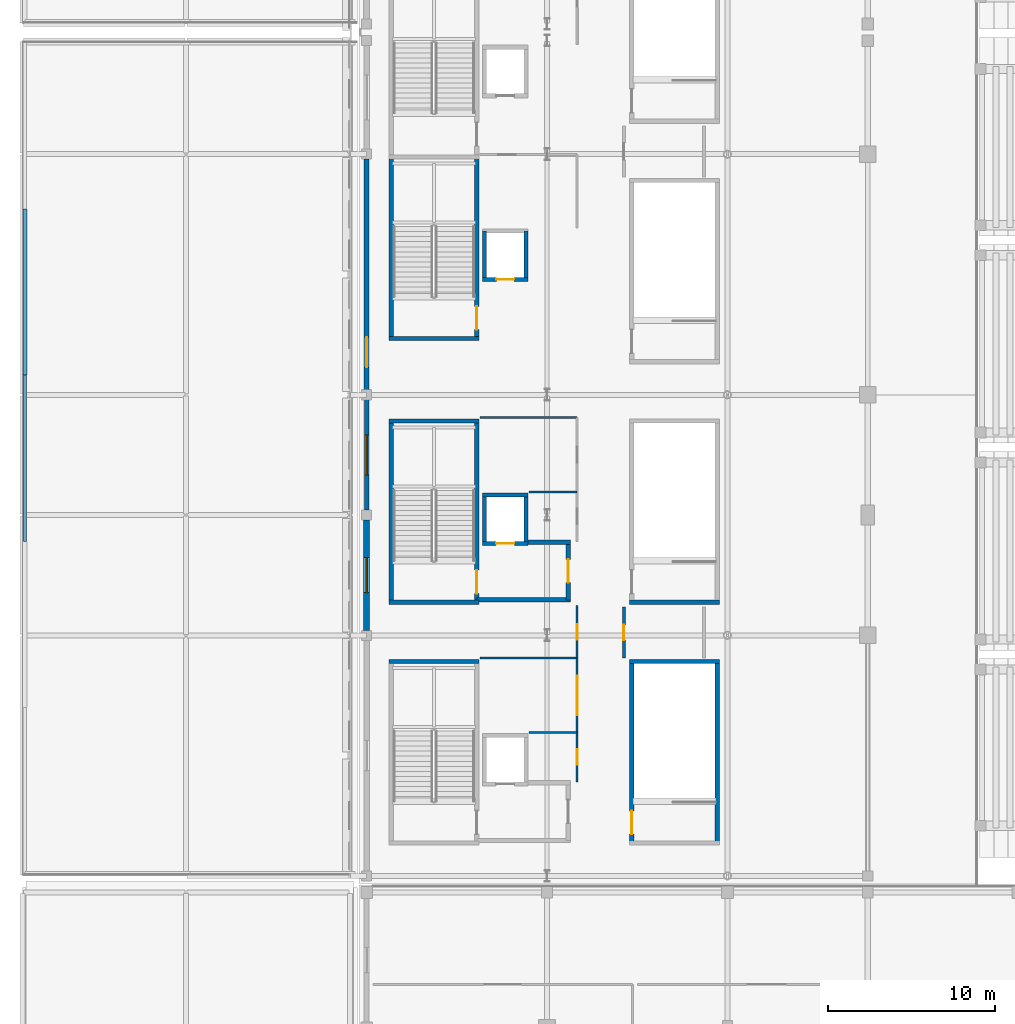
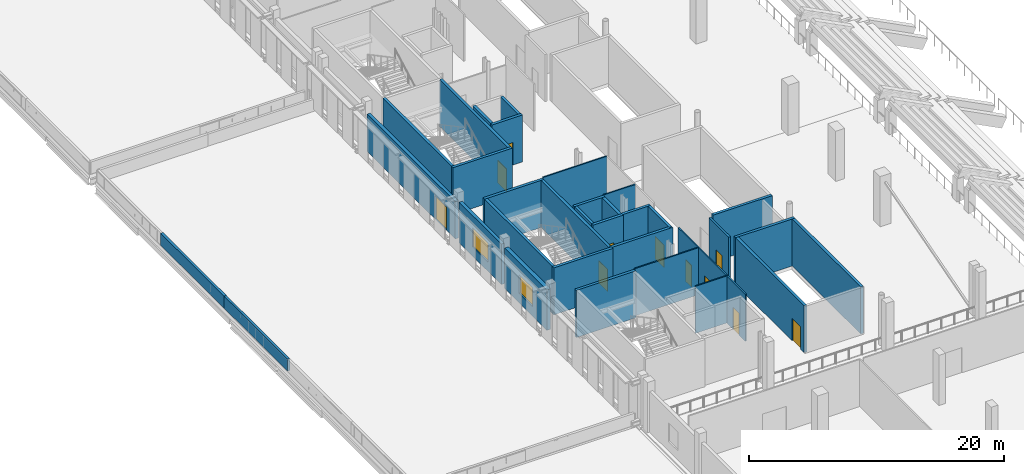
# One storey, part 29 of 74: 35 walls, 11 doors, 2 windows, 13 openings.
"""IFC4 building model written with IfcOpenShell, lengths in metres."""

from ifc_helpers import new_model, si_unit, direction, frame, frame_2d, origin, place, context, subcontext, project, spatial, rectangle, extrude, material, layer, layer_set, type_object, element, fill, save


model = new_model("IFC4")

# Units and contexts
model_context = context("Model", 3, precision=1e-05, world=origin(), true_north=direction((0.0, 1.0)))
body_context = subcontext(model_context, "Body", "Model", "MODEL_VIEW")
ifc_project = project(units=[si_unit("LENGTHUNIT", "METRE"), si_unit("AREAUNIT", "SQUARE_METRE"), si_unit("VOLUMEUNIT", "CUBIC_METRE"), si_unit("PLANEANGLEUNIT", "RADIAN"), si_unit("MASSUNIT", "GRAM", prefix="KILO")], contexts=[model_context])

# Site, building, storey
site_placement = place(None, origin())
site = spatial("IfcSite", under=ifc_project, at=site_placement, CompositionType="ELEMENT")
building_placement = place(site_placement, origin())
building = spatial("IfcBuilding", under=site, at=building_placement, Name="Koshinbarg Plaza Stadium", CompositionType="ELEMENT")
storey_placement = place(building_placement, frame((0.0, 0.0, 15.0)))
storey = spatial("IfcBuildingStorey", under=building, at=storey_placement, Name="L03", CompositionType="ELEMENT", Elevation=15.0)

# Walls
ifc_material_1 = material(Name="Concrete C40/50", Category="concrete")
ifc_layer_1 = layer(ifc_material_1, 0.25)
ifc_layer_set_1 = layer_set([ifc_layer_1], Name="Concrete C40/50")
wall_type_1 = type_object("IfcWallType", Name="WL-CORE-250", PredefinedType="SHEAR", material=ifc_layer_set_1)
for number, where, z_axis, x_axis, name in (
    (1, (31.320068359375, 38.324951171875, 0.0), (0.0, 0.0, 1.0), (-1.0, 0.0, 0.0), "L03 core stair shear wall C01-far IWL-L03-0014"),
    (2, (25.949951171875, 41.875, 0.0), (0.0, 0.0, 1.0), (1.0, 0.0, 0.0), "L03 core stair shear wall C02-near IWL-L03-0041"),
    (3, (31.320068359375, 52.72509765625, 0.0), (0.0, 0.0, 1.0), (-1.0, 0.0, 0.0), "L03 core stair shear wall C02-far IWL-L03-0042"),
):
    element("IfcWall", number, at=place(storey_placement, frame(where, z_axis=z_axis, x_axis=x_axis)), inside=storey, type_object=wall_type_1, Name=name, PredefinedType="SHEAR", context=body_context, shape_type="SweptSolid", body=[
        extrude(rectangle(XDim=5.3701171875, YDim=0.25, at=frame_2d((2.68505859375, 0.0))), origin(), (0.0, 0.0, 1.0), 4.5),
    ])
wall_1_placement = place(storey_placement, frame((26.074951171875, 41.875, 0.0), z_axis=(0.0, 0.0, 1.0), x_axis=(0.0, 1.0, 0.0)))
element("IfcWall", 4, at=wall_1_placement, inside=storey, type_object=wall_type_1, Name="L03 core stair shear wall C02-left IWL-L03-0043", PredefinedType="SHEAR", context=body_context, shape_type="SweptSolid", body=[
    extrude(rectangle(XDim=10.85009765625, YDim=0.25, at=frame_2d((5.425048828125, 0.0))), origin(), (0.0, 0.0, 1.0), 4.5),
])

# Wall, opening, door
wall_2_placement = place(storey_placement, frame((31.195068359375, 41.875, 0.0), z_axis=(0.0, 0.0, 1.0), x_axis=(0.0, 1.0, 0.0)))
wall_2 = element("IfcWall", 5, at=wall_2_placement, inside=storey, type_object=wall_type_1, Name="L03 core stair shear wall C02-right IWL-L03-0044", PredefinedType="SHEAR", context=body_context, shape_type="SweptSolid", body=[
    extrude(rectangle(XDim=10.85009765625, YDim=0.25, at=frame_2d((5.425048828125, 0.0))), origin(), (0.0, 0.0, 1.0), 4.5),
])
opening_1_placement = place(wall_2_placement, frame((0.52001953125, 0.0, 0.0)))
opening_1 = element("IfcOpeningElement", 6, at=opening_1_placement, cuts=wall_2, Name="Opening D-0071", PredefinedType="OPENING", context=body_context, shape_type="SweptSolid", body=[
    extrude(rectangle(XDim=1.39990234375, YDim=2.14990234375, at=frame_2d((0.699951171875, 1.074951171875))), frame((0.0, 0.135009765625, 0.0), z_axis=(0.0, -1.0, 0.0), x_axis=(1.0, 0.0, 0.0)), (0.0, 0.0, 1.0), 0.27001953125),
])
ifc_material_2 = material(Name="Painted galvanized steel fire door", Category="steel")
door_type_1 = type_object("IfcDoorType", Name="DR-STAIR-1400", OperationType="NOTDEFINED", PredefinedType="DOOR", material=ifc_material_2)
door_1_placement = place(opening_1_placement, origin())
door_1 = element("IfcDoor", 7, at=door_1_placement, inside=storey, type_object=door_type_1, Name="L03 exit stair door C02", OperationType="SINGLE_SWING_RIGHT", OverallHeight=2.14990234375, OverallWidth=1.39990234375, PredefinedType="DOOR", context=body_context, shape_type="SweptSolid", body=[
    extrude(rectangle(XDim=1.39990234375, YDim=2.14990234375, at=frame_2d((0.699951171875, 1.074951171875))), frame((0.0, 0.02490234375, 0.0), z_axis=(0.0, -1.0, 0.0), x_axis=(1.0, 0.0, 0.0)), (0.0, 0.0, 1.0), 0.050048828125),
])
fill(opening_1, door_1)

# Walls
wall_3_placement = place(storey_placement, frame((25.949951171875, 57.675048828125, 0.0), z_axis=(0.0, 0.0, 1.0), x_axis=(1.0, 0.0, 0.0)))
element("IfcWall", 8, at=wall_3_placement, inside=storey, type_object=wall_type_1, Name="L03 core stair shear wall C03-near IWL-L03-0069", PredefinedType="SHEAR", context=body_context, shape_type="SweptSolid", body=[
    extrude(rectangle(XDim=5.3701171875, YDim=0.25, at=frame_2d((2.68505859375, 0.0))), origin(), (0.0, 0.0, 1.0), 4.5),
])
wall_4_placement = place(storey_placement, frame((26.074951171875, 57.675048828125, 0.0), z_axis=(0.0, 0.0, 1.0), x_axis=(0.0, 1.0, 0.0)))
element("IfcWall", 9, at=wall_4_placement, inside=storey, type_object=wall_type_1, Name="L03 core stair shear wall C03-left IWL-L03-0071", PredefinedType="SHEAR", context=body_context, shape_type="SweptSolid", body=[
    extrude(rectangle(XDim=10.849853515625, YDim=0.25, at=frame_2d((5.4248046875, 0.0))), origin(), (0.0, 0.0, 1.0), 4.5),
])

# Wall, opening, door
wall_5_placement = place(storey_placement, frame((31.195068359375, 57.675048828125, 0.0), z_axis=(0.0, 0.0, 1.0), x_axis=(0.0, 1.0, 0.0)))
wall_5 = element("IfcWall", 10, at=wall_5_placement, inside=storey, type_object=wall_type_1, Name="L03 core stair shear wall C03-right IWL-L03-0072", PredefinedType="SHEAR", context=body_context, shape_type="SweptSolid", body=[
    extrude(rectangle(XDim=10.849853515625, YDim=0.25, at=frame_2d((5.4248046875, 0.0))), origin(), (0.0, 0.0, 1.0), 4.5),
])
opening_2_placement = place(wall_5_placement, frame((0.52001953125, 0.0, 0.0)))
opening_2 = element("IfcOpeningElement", 11, at=opening_2_placement, cuts=wall_5, Name="Opening D-0078", PredefinedType="OPENING", context=body_context, shape_type="SweptSolid", body=[
    extrude(rectangle(XDim=1.39990234375, YDim=2.14990234375, at=frame_2d((0.699951171875, 1.074951171875))), frame((0.0, 0.135009765625, 0.0), z_axis=(0.0, -1.0, 0.0), x_axis=(1.0, 0.0, 0.0)), (0.0, 0.0, 1.0), 0.27001953125),
])
door_2_placement = place(opening_2_placement, origin())
door_2 = element("IfcDoor", 12, at=door_2_placement, inside=storey, type_object=door_type_1, Name="L03 exit stair door C03", OperationType="SINGLE_SWING_RIGHT", OverallHeight=2.14990234375, OverallWidth=1.39990234375, PredefinedType="DOOR", context=body_context, shape_type="SweptSolid", body=[
    extrude(rectangle(XDim=1.39990234375, YDim=2.14990234375, at=frame_2d((0.699951171875, 1.074951171875))), frame((0.0, 0.02490234375, 0.0), z_axis=(0.0, -1.0, 0.0), x_axis=(1.0, 0.0, 0.0)), (0.0, 0.0, 1.0), 0.050048828125),
])
fill(opening_2, door_2)

# Wall
wall_6_placement = place(storey_placement, frame((45.719970703125, 38.324951171875, 0.0), z_axis=(0.0, 0.0, 1.0), x_axis=(-1.0, 0.0, 0.0)))
element("IfcWall", 13, at=wall_6_placement, inside=storey, type_object=wall_type_1, Name="L03 vomitory stair shear wall VX01-far IWL-L03-0367", PredefinedType="SHEAR", context=body_context, shape_type="SweptSolid", body=[
    extrude(rectangle(XDim=5.369873046875, YDim=0.25, at=frame_2d((2.68505859375, 0.0))), origin(), (0.0, 0.0, 1.0), 4.5),
])

# Wall, opening, door
wall_7_placement = place(storey_placement, frame((40.47509765625, 27.47509765625, 0.0), z_axis=(0.0, 0.0, 1.0), x_axis=(0.0, 1.0, 0.0)))
wall_7 = element("IfcWall", 14, at=wall_7_placement, inside=storey, type_object=wall_type_1, Name="L03 vomitory stair shear wall VX01-left IWL-L03-0368", PredefinedType="SHEAR", context=body_context, shape_type="SweptSolid", body=[
    extrude(rectangle(XDim=10.849853515625, YDim=0.25, at=frame_2d((5.4248046875, 0.0))), origin(), (0.0, 0.0, 1.0), 4.5),
])
opening_3_placement = place(wall_7_placement, frame((0.52001953125, 0.0, 0.0)))
opening_3 = element("IfcOpeningElement", 15, at=opening_3_placement, cuts=wall_7, Name="Opening D-0154", PredefinedType="OPENING", context=body_context, shape_type="SweptSolid", body=[
    extrude(rectangle(XDim=1.39990234375, YDim=2.14990234375, at=frame_2d((0.699951171875, 1.074951171875))), frame((0.0, 0.135009765625, 0.0), z_axis=(0.0, -1.0, 0.0), x_axis=(1.0, 0.0, 0.0)), (0.0, 0.0, 1.0), 0.27001953125),
])
door_3_placement = place(opening_3_placement, frame((1.39990234375, 0.0, 0.0), z_axis=(0.0, 0.0, 1.0), x_axis=(-1.0, 0.0, 0.0)))
door_3 = element("IfcDoor", 16, at=door_3_placement, inside=storey, type_object=door_type_1, Name="L03 vomitory exit stair door VX01", OperationType="SINGLE_SWING_LEFT", OverallHeight=2.14990234375, OverallWidth=1.39990234375, PredefinedType="DOOR", context=body_context, shape_type="SweptSolid", body=[
    extrude(rectangle(XDim=1.39990234375, YDim=2.14990234375, at=frame_2d((0.699951171875, 1.074951171875))), frame((0.0, 0.02490234375, 0.0), z_axis=(0.0, -1.0, 0.0), x_axis=(1.0, 0.0, 0.0)), (0.0, 0.0, 1.0), 0.050048828125),
])
fill(opening_3, door_3)

# Walls
wall_8_placement = place(storey_placement, frame((45.594970703125, 27.47509765625, 0.0), z_axis=(0.0, 0.0, 1.0), x_axis=(0.0, 1.0, 0.0)))
element("IfcWall", 17, at=wall_8_placement, inside=storey, type_object=wall_type_1, Name="L03 vomitory stair shear wall VX01-right IWL-L03-0369", PredefinedType="SHEAR", context=body_context, shape_type="SweptSolid", body=[
    extrude(rectangle(XDim=10.849853515625, YDim=0.25, at=frame_2d((5.4248046875, 0.0))), origin(), (0.0, 0.0, 1.0), 4.5),
])
wall_9_placement = place(storey_placement, frame((40.35009765625, 41.875, 0.0), z_axis=(0.0, 0.0, 1.0), x_axis=(1.0, 0.0, 0.0)))
element("IfcWall", 18, at=wall_9_placement, inside=storey, type_object=wall_type_1, Name="L03 vomitory stair shear wall VX02-near IWL-L03-0382", PredefinedType="SHEAR", context=body_context, shape_type="SweptSolid", body=[
    extrude(rectangle(XDim=5.369873046875, YDim=0.25, at=frame_2d((2.68505859375, 0.0))), origin(), (0.0, 0.0, 1.0), 4.5),
])

# Wall, opening, door
wall_10_placement = place(storey_placement, frame((31.52490234375, 45.39990234375, 0.0), z_axis=(0.0, 0.0, 1.0), x_axis=(1.0, 0.0, 0.0)))
wall_10 = element("IfcWall", 19, at=wall_10_placement, inside=storey, type_object=wall_type_1, Name="L03 lift shaft shear wall FL02-S IWL-L03-0680", PredefinedType="SHEAR", context=body_context, shape_type="SweptSolid", body=[
    extrude(rectangle(XDim=2.75, YDim=0.25, at=frame_2d((1.375, 0.0))), origin(), (0.0, 0.0, 1.0), 4.5),
])
opening_4_placement = place(wall_10_placement, frame((0.824951171875, 0.0, 0.0)))
opening_4 = element("IfcOpeningElement", 20, at=opening_4_placement, cuts=wall_10, Name="Opening D-0235", PredefinedType="OPENING", context=body_context, shape_type="SweptSolid", body=[
    extrude(rectangle(XDim=1.10009765625, YDim=2.14990234375, at=frame_2d((0.550048828125, 1.074951171875))), frame((0.0, 0.135009765625, 0.0), z_axis=(0.0, -1.0, 0.0), x_axis=(1.0, 0.0, 0.0)), (0.0, 0.0, 1.0), 0.27001953125),
])
ifc_material_3 = material(Name="Brushed stainless steel sliding lift landing door", Category="steel")
door_type_2 = type_object("IfcDoorType", Name="DR-LIFT-1100", OperationType="NOTDEFINED", PredefinedType="DOOR", material=ifc_material_3)
door_4_placement = place(opening_4_placement, origin())
door_4 = element("IfcDoor", 21, at=door_4_placement, inside=storey, type_object=door_type_2, Name="L03 lift landing door FL02", OperationType="SLIDING_TO_LEFT", OverallHeight=2.14990234375, OverallWidth=1.10009765625, PredefinedType="DOOR", context=body_context, shape_type="SweptSolid", body=[
    extrude(rectangle(XDim=1.10009765625, YDim=2.14990234375, at=frame_2d((0.550048828125, 1.074951171875))), frame((0.0, 0.02490234375, 0.0), z_axis=(0.0, -1.0, 0.0), x_axis=(1.0, 0.0, 0.0)), (0.0, 0.0, 1.0), 0.050048828125),
])
fill(opening_4, door_4)

# Walls
wall_11_placement = place(storey_placement, frame((34.27490234375, 48.300048828125, 0.0), z_axis=(0.0, 0.0, 1.0), x_axis=(-1.0, 0.0, 0.0)))
element("IfcWall", 22, at=wall_11_placement, inside=storey, type_object=wall_type_1, Name="L03 lift shaft shear wall FL02-N IWL-L03-0681", PredefinedType="SHEAR", context=body_context, shape_type="SweptSolid", body=[
    extrude(rectangle(XDim=2.75, YDim=0.25, at=frame_2d((1.375, 0.0))), origin(), (0.0, 0.0, 1.0), 4.5),
])
for number, where, z_axis, x_axis, name in (
    (23, (31.64990234375, 48.300048828125, 0.0), (0.0, 0.0, 1.0), (0.0, -1.0, 0.0), "L03 lift shaft shear wall FL02-W IWL-L03-0682"),
    (24, (34.14990234375, 45.39990234375, 0.0), (0.0, 0.0, 1.0), (0.0, 1.0, 0.0), "L03 lift shaft shear wall FL02-E IWL-L03-0683"),
):
    element("IfcWall", number, at=place(storey_placement, frame(where, z_axis=z_axis, x_axis=x_axis)), inside=storey, type_object=wall_type_1, Name=name, PredefinedType="SHEAR", context=body_context, shape_type="SweptSolid", body=[
        extrude(rectangle(XDim=2.900146484375, YDim=0.25, at=frame_2d((1.4501953125, 0.0))), origin(), (0.0, 0.0, 1.0), 4.5),
    ])

# Wall, opening, door
wall_12_placement = place(storey_placement, frame((36.675048828125, 42.02490234375, 0.0), z_axis=(0.0, 0.0, 1.0), x_axis=(0.0, 1.0, 0.0)))
wall_12 = element("IfcWall", 25, at=wall_12_placement, inside=storey, type_object=wall_type_1, Name="L03 firefighting lobby wall C02-E IWL-L03-0684", PredefinedType="SHEAR", context=body_context, shape_type="SweptSolid", body=[
    extrude(rectangle(XDim=3.4501953125, YDim=0.25, at=frame_2d((1.72509765625, 0.0))), origin(), (0.0, 0.0, 1.0), 4.5),
])
opening_5_placement = place(wall_12_placement, frame((1.02490234375, 0.0, 0.0)))
opening_5 = element("IfcOpeningElement", 26, at=opening_5_placement, cuts=wall_12, Name="Opening D-0236", PredefinedType="OPENING", context=body_context, shape_type="SweptSolid", body=[
    extrude(rectangle(XDim=1.39990234375, YDim=2.14990234375, at=frame_2d((0.699951171875, 1.074951171875))), frame((0.0, 0.135009765625, 0.0), z_axis=(0.0, -1.0, 0.0), x_axis=(1.0, 0.0, 0.0)), (0.0, 0.0, 1.0), 0.27001953125),
])
ifc_material_4 = material(Name="Smoke-sealed steel firefighting lobby door", Category="steel")
door_type_3 = type_object("IfcDoorType", Name="DR-FFLOB-1400", OperationType="NOTDEFINED", PredefinedType="DOOR", material=ifc_material_4)
door_5_placement = place(opening_5_placement, origin())
door_5 = element("IfcDoor", 27, at=door_5_placement, inside=storey, type_object=door_type_3, Name="L03 firefighting lobby fire door C02", OperationType="DOUBLE_DOOR_SINGLE_SWING", OverallHeight=2.14990234375, OverallWidth=1.39990234375, PredefinedType="DOOR", context=body_context, shape_type="SweptSolid", body=[
    extrude(rectangle(XDim=1.39990234375, YDim=2.14990234375, at=frame_2d((0.699951171875, 1.074951171875))), frame((0.0, 0.02490234375, 0.0), z_axis=(0.0, -1.0, 0.0), x_axis=(1.0, 0.0, 0.0)), (0.0, 0.0, 1.0), 0.050048828125),
])
fill(opening_5, door_5)

# Walls
wall_13_placement = place(storey_placement, frame((34.27490234375, 45.47509765625, 0.0), z_axis=(0.0, 0.0, 1.0), x_axis=(1.0, 0.0, 0.0)))
element("IfcWall", 28, at=wall_13_placement, inside=storey, type_object=wall_type_1, Name="L03 firefighting lobby wall C02-NE IWL-L03-0685", PredefinedType="SHEAR", context=body_context, shape_type="SweptSolid", body=[
    extrude(rectangle(XDim=2.525146484375, YDim=0.25, at=frame_2d((1.2626953125, 0.0))), origin(), (0.0, 0.0, 1.0), 4.5),
])
wall_14_placement = place(storey_placement, frame((31.199951171875, 42.02490234375, 0.0), z_axis=(0.0, 0.0, 1.0), x_axis=(1.0, 0.0, 0.0)))
element("IfcWall", 29, at=wall_14_placement, inside=storey, type_object=wall_type_1, Name="L03 firefighting lobby wall C02-S IWL-L03-0686", PredefinedType="SHEAR", context=body_context, shape_type="SweptSolid", body=[
    extrude(rectangle(XDim=5.60009765625, YDim=0.25, at=frame_2d((2.800048828125, 0.0))), origin(), (0.0, 0.0, 1.0), 4.5),
])

# Wall, opening, door
wall_15_placement = place(storey_placement, frame((31.52490234375, 61.199951171875, 0.0), z_axis=(0.0, 0.0, 1.0), x_axis=(1.0, 0.0, 0.0)))
wall_15 = element("IfcWall", 30, at=wall_15_placement, inside=storey, type_object=wall_type_1, Name="L03 lift shaft shear wall LP01-S IWL-L03-0720", PredefinedType="SHEAR", context=body_context, shape_type="SweptSolid", body=[
    extrude(rectangle(XDim=2.75, YDim=0.25, at=frame_2d((1.375, 0.0))), origin(), (0.0, 0.0, 1.0), 4.5),
])
opening_6_placement = place(wall_15_placement, frame((0.85009765625, 0.0, 0.0)))
opening_6 = element("IfcOpeningElement", 31, at=opening_6_placement, cuts=wall_15, Name="Opening D-0246", PredefinedType="OPENING", context=body_context, shape_type="SweptSolid", body=[
    extrude(rectangle(XDim=1.050048828125, YDim=2.14990234375, at=frame_2d((0.52490234375, 1.074951171875))), frame((0.0, 0.135009765625, 0.0), z_axis=(0.0, -1.0, 0.0), x_axis=(1.0, 0.0, 0.0)), (0.0, 0.0, 1.0), 0.27001953125),
])
door_type_4 = type_object("IfcDoorType", Name="DR-LIFT-1050", OperationType="NOTDEFINED", PredefinedType="DOOR", material=ifc_material_3)
door_6_placement = place(opening_6_placement, origin())
door_6 = element("IfcDoor", 32, at=door_6_placement, inside=storey, type_object=door_type_4, Name="L03 lift landing door LP01", OperationType="SLIDING_TO_RIGHT", OverallHeight=2.14990234375, OverallWidth=1.050048828125, PredefinedType="DOOR", context=body_context, shape_type="SweptSolid", body=[
    extrude(rectangle(XDim=1.050048828125, YDim=2.14990234375, at=frame_2d((0.52490234375, 1.074951171875))), frame((0.0, 0.02490234375, 0.0), z_axis=(0.0, -1.0, 0.0), x_axis=(1.0, 0.0, 0.0)), (0.0, 0.0, 1.0), 0.050048828125),
])
fill(opening_6, door_6)

# Walls
for number, where, z_axis, x_axis, name in (
    (33, (31.64990234375, 64.10009765625, 0.0), (0.0, 0.0, 1.0), (0.0, -1.0, 0.0), "L03 lift shaft shear wall LP01-W IWL-L03-0722"),
    (34, (34.14990234375, 61.199951171875, 0.0), (0.0, 0.0, 1.0), (0.0, 1.0, 0.0), "L03 lift shaft shear wall LP01-E IWL-L03-0723"),
):
    element("IfcWall", number, at=place(storey_placement, frame(where, z_axis=z_axis, x_axis=x_axis)), inside=storey, type_object=wall_type_1, Name=name, PredefinedType="SHEAR", context=body_context, shape_type="SweptSolid", body=[
        extrude(rectangle(XDim=2.900146484375, YDim=0.25, at=frame_2d((1.4501953125, 0.0))), origin(), (0.0, 0.0, 1.0), 4.5),
    ])

# Wall, opening, window
ifc_material_5 = material(Name="Terracotta-ochre mineral plaster insulated wall", Category="masonry")
ifc_layer_2 = layer(ifc_material_5, 0.280029296875)
ifc_layer_set_2 = layer_set([ifc_layer_2], Name="Terracotta-ochre mineral plaster insulated wall")
wall_type_2 = type_object("IfcWallType", Name="WL-EXT-280", PredefinedType="SOLIDWALL", material=ifc_layer_set_2)
wall_16_placement = place(storey_placement, frame((24.60009765625, 47.39501953125, 0.0), z_axis=(0.0, 0.0, 1.0), x_axis=(0.0, 1.0, 0.0)))
wall_16 = element("IfcWall", 35, at=wall_16_placement, inside=storey, type_object=wall_type_2, Name="L03 exterior envelope wall EWL-L03-0148", PredefinedType="SOLIDWALL", context=body_context, shape_type="SweptSolid", body=[
    extrude(rectangle(XDim=6.60986328125, YDim=0.280029296875, at=frame_2d((3.304931640625, 0.0))), origin(), (0.0, 0.0, 1.0), 3.8798828125),
])
opening_7_placement = place(wall_16_placement, frame((2.10498046875, 0.0, 0.89990234375)))
opening_7 = element("IfcOpeningElement", 36, at=opening_7_placement, cuts=wall_16, Name="Opening WN11", PredefinedType="OPENING", context=body_context, shape_type="SweptSolid", body=[
    extrude(rectangle(XDim=2.39990234375, YDim=1.800048828125, at=frame_2d((1.199951171875, 0.89990234375))), frame((0.0, 0.14990234375, 0.0), z_axis=(0.0, -1.0, 0.0), x_axis=(1.0, 0.0, 0.0)), (0.0, 0.0, 1.0), 0.300048828125),
])
ifc_material_6 = material(Name="Solar-control double glazing in thermally broken aluminium frame", Category="aluminium")
window_type_1 = type_object("IfcWindowType", Name="WN-FAC-11", PartitioningType="DOUBLE_PANEL_VERTICAL", PredefinedType="WINDOW", material=ifc_material_6)
window_1_placement = place(opening_7_placement, origin())
window_1 = element("IfcWindow", 37, at=window_1_placement, inside=storey, type_object=window_type_1, Name="L03 facade window 0083", OverallHeight=1.800048828125, OverallWidth=2.39990234375, PartitioningType="SINGLE_PANEL", PredefinedType="WINDOW", context=body_context, shape_type="SweptSolid", body=[
    extrude(rectangle(XDim=2.39990234375, YDim=1.800048828125, at=frame_2d((1.199951171875, 0.89990234375))), frame((0.0, 0.030029296875, 0.0), z_axis=(0.0, -1.0, 0.0), x_axis=(1.0, 0.0, 0.0)), (0.0, 0.0, 1.0), 0.06005859375),
])
fill(opening_7, window_1)

# Wall, opening, door
ifc_material_7 = material(Name="Off-white mineral plaster insulated wall", Category="masonry")
ifc_layer_3 = layer(ifc_material_7, 0.300048828125)
ifc_layer_set_3 = layer_set([ifc_layer_3], Name="Off-white mineral plaster insulated wall")
wall_type_3 = type_object("IfcWallType", Name="WL-EXT-300", PredefinedType="SOLIDWALL", material=ifc_layer_set_3)
wall_17_placement = place(storey_placement, frame((24.60009765625, 54.594970703125, 0.0), z_axis=(0.0, 0.0, 1.0), x_axis=(0.0, 1.0, 0.0)))
wall_17 = element("IfcWall", 38, at=wall_17_placement, inside=storey, type_object=wall_type_3, Name="L03 exterior envelope wall EWL-L03-0149", PredefinedType="SOLIDWALL", context=body_context, shape_type="SweptSolid", body=[
    extrude(rectangle(XDim=13.81005859375, YDim=0.300048828125, at=frame_2d((6.905029296875, 0.0))), origin(), (0.0, 0.0, 1.0), 3.580078125),
])
opening_8_placement = place(wall_17_placement, frame((1.35009765625, 0.0, 0.0)))
opening_8 = element("IfcOpeningElement", 39, at=opening_8_placement, cuts=wall_17, Name="Opening D-0056", PredefinedType="OPENING", context=body_context, shape_type="SweptSolid", body=[
    extrude(rectangle(XDim=1.800048828125, YDim=2.199951171875, at=frame_2d((0.89990234375, 1.10009765625))), frame((0.0, 0.159912109375, 0.0), z_axis=(0.0, -1.0, 0.0), x_axis=(1.0, 0.0, 0.0)), (0.0, 0.0, 1.0), 0.320068359375),
])
ifc_material_8 = material(Name="Glazed aluminium roof-garden access door", Category="aluminium")
door_type_5 = type_object("IfcDoorType", Name="DR-TERR-1800", OperationType="NOTDEFINED", PredefinedType="DOOR", material=ifc_material_8)
door_7_placement = place(opening_8_placement, origin())
door_7 = element("IfcDoor", 40, at=door_7_placement, inside=storey, type_object=door_type_5, Name="L03 Planted roof garden terrace door", OperationType="DOUBLE_DOOR_SINGLE_SWING", OverallHeight=2.199951171875, OverallWidth=1.800048828125, PredefinedType="DOOR", context=body_context, shape_type="SweptSolid", body=[
    extrude(rectangle(XDim=1.800048828125, YDim=2.199951171875, at=frame_2d((0.89990234375, 1.10009765625))), frame((0.0, 0.02490234375, 0.0), z_axis=(0.0, -1.0, 0.0), x_axis=(1.0, 0.0, 0.0)), (0.0, 0.0, 1.0), 0.050048828125),
])
fill(opening_8, door_7)

# Wall, opening, window
ifc_material_9 = material(Name="Acoustic insulated masonry stadium wall", Category="masonry")
ifc_layer_4 = layer(ifc_material_9, 0.35009765625)
ifc_layer_set_4 = layer_set([ifc_layer_4], Name="Acoustic insulated masonry stadium wall")
wall_type_4 = type_object("IfcWallType", Name="WL-EXT-350", PredefinedType="SOLIDWALL", material=ifc_layer_set_4)
wall_18_placement = place(storey_placement, frame((24.60009765625, 40.195068359375, 0.0), z_axis=(0.0, 0.0, 1.0), x_axis=(0.0, 1.0, 0.0)))
wall_18 = element("IfcWall", 41, at=wall_18_placement, inside=storey, type_object=wall_type_4, Name="L03 exterior envelope wall EWL-L03-0147", PredefinedType="SOLIDWALL", context=body_context, shape_type="SweptSolid", body=[
    extrude(rectangle(XDim=6.60986328125, YDim=0.35009765625, at=frame_2d((3.304931640625, 0.0))), origin(), (0.0, 0.0, 1.0), 3.8798828125),
])
opening_9_placement = place(wall_18_placement, frame((2.2548828125, 0.0, 0.89990234375)))
opening_9 = element("IfcOpeningElement", 42, at=opening_9_placement, cuts=wall_18, Name="Opening WN10", PredefinedType="OPENING", context=body_context, shape_type="SweptSolid", body=[
    extrude(rectangle(XDim=2.10009765625, YDim=1.800048828125, at=frame_2d((1.050048828125, 0.89990234375))), frame((0.0, 0.18505859375, 0.0), z_axis=(0.0, -1.0, 0.0), x_axis=(1.0, 0.0, 0.0)), (0.0, 0.0, 1.0), 0.3701171875),
])
window_type_2 = type_object("IfcWindowType", Name="WN-FAC-10", PartitioningType="DOUBLE_PANEL_VERTICAL", PredefinedType="WINDOW", material=ifc_material_6)
window_2_placement = place(opening_9_placement, origin())
window_2 = element("IfcWindow", 43, at=window_2_placement, inside=storey, type_object=window_type_2, Name="L03 facade window 0082", OverallHeight=1.800048828125, OverallWidth=2.10009765625, PartitioningType="SINGLE_PANEL", PredefinedType="WINDOW", context=body_context, shape_type="SweptSolid", body=[
    extrude(rectangle(XDim=2.10009765625, YDim=1.800048828125, at=frame_2d((1.050048828125, 0.89990234375))), frame((0.0, 0.030029296875, 0.0), z_axis=(0.0, -1.0, 0.0), x_axis=(1.0, 0.0, 0.0)), (0.0, 0.0, 1.0), 0.06005859375),
])
fill(opening_9, window_2)

# Walls
ifc_material_10 = material(Name="Precast concrete C40/50", Category="concrete")
ifc_layer_5 = layer(ifc_material_10, 0.199951171875)
ifc_layer_set_5 = layer_set([ifc_layer_5], Name="Precast concrete C40/50")
wall_type_5 = type_object("IfcWallType", Name="WL-PAR-200", PredefinedType="PARAPET", material=ifc_layer_set_5)
wall_19_placement = place(storey_placement, frame((4.14990234375, 55.469970703125, 0.0), z_axis=(0.0, 0.0, 1.0), x_axis=(0.0, -1.0, 0.0)))
element("IfcWall", 44, at=wall_19_placement, inside=storey, type_object=wall_type_5, Name="L03 roof garden parapet 016", PredefinedType="PARAPET", context=body_context, shape_type="SweptSolid", body=[
    extrude(rectangle(XDim=9.93994140625, YDim=0.199951171875, at=frame_2d((4.969970703125, 0.0))), origin(), (0.0, 0.0, 1.0), 1.14990234375),
])
ifc_layer_6 = layer(ifc_material_10, 0.219970703125)
ifc_layer_set_6 = layer_set([ifc_layer_6], Name="Precast concrete C40/50")
wall_type_6 = type_object("IfcWallType", Name="WL-PAR-220", PredefinedType="PARAPET", material=ifc_layer_set_6)
wall_20_placement = place(storey_placement, frame((4.14990234375, 65.409912109375, 0.0), z_axis=(0.0, 0.0, 1.0), x_axis=(0.0, -1.0, 0.0)))
element("IfcWall", 45, at=wall_20_placement, inside=storey, type_object=wall_type_6, Name="L03 roof garden parapet 015", PredefinedType="PARAPET", context=body_context, shape_type="SweptSolid", body=[
    extrude(rectangle(XDim=9.93994140625, YDim=0.219970703125, at=frame_2d((4.969970703125, 0.0))), origin(), (0.0, 0.0, 1.0), 1.14990234375),
])

# Wall, opening, door
ifc_material_11 = material(Name="Gypsum board metal-stud acoustic partition")
ifc_layer_7 = layer(ifc_material_11, 0.1201171875)
ifc_layer_set_7 = layer_set([ifc_layer_7], Name="Gypsum board metal-stud acoustic partition")
wall_type_7 = type_object("IfcWallType", Name="WL-PART-120", PredefinedType="PARTITIONING", material=ifc_layer_set_7)
wall_21_placement = place(storey_placement, frame((37.199951171875, 38.530029296875, 0.0), z_axis=(0.0, 0.0, 1.0), x_axis=(0.0, 1.0, 0.0)))
wall_21 = element("IfcWall", 46, at=wall_21_placement, inside=storey, type_object=wall_type_7, Name="L03 interior partition L03-65-east IWL-L03-1927", PredefinedType="PARTITIONING", context=body_context, shape_type="SweptSolid", body=[
    extrude(rectangle(XDim=3.139892578125, YDim=0.1201171875, at=frame_2d((1.56982421875, 0.0))), origin(), (0.0, 0.0, 1.0), 4.5),
])
opening_10_placement = place(wall_21_placement, frame((1.110107421875, 0.0, 0.0)))
opening_10 = element("IfcOpeningElement", 47, at=opening_10_placement, cuts=wall_21, Name="Opening D-0655", PredefinedType="OPENING", context=body_context, shape_type="SweptSolid", body=[
    extrude(rectangle(XDim=0.919921875, YDim=2.10009765625, at=frame_2d((0.4599609375, 1.050048828125))), frame((0.0, 0.070068359375, 0.0), z_axis=(0.0, -1.0, 0.0), x_axis=(1.0, 0.0, 0.0)), (0.0, 0.0, 1.0), 0.14013671875),
])
ifc_material_12 = material(Name="Solid-core oak veneer acoustic door")
door_type_6 = type_object("IfcDoorType", Name="DR-INT-0920x2100", OperationType="NOTDEFINED", PredefinedType="DOOR", material=ifc_material_12)
door_8_placement = place(opening_10_placement, origin())
door_8 = element("IfcDoor", 48, at=door_8_placement, inside=storey, type_object=door_type_6, Name="L03 Upper Public Concourse door D-0655", OperationType="SINGLE_SWING_LEFT", OverallHeight=2.10009765625, OverallWidth=0.919921875, PredefinedType="DOOR", context=body_context, shape_type="SweptSolid", body=[
    extrude(rectangle(XDim=0.919921875, YDim=2.10009765625, at=frame_2d((0.4599609375, 1.050048828125))), frame((0.0, 0.02490234375, 0.0), z_axis=(0.0, -1.0, 0.0), x_axis=(1.0, 0.0, 0.0)), (0.0, 0.0, 1.0), 0.050048828125),
])
fill(opening_10, door_8)

wall_22_placement = place(storey_placement, frame((37.199951171875, 34.080078125, 0.0), z_axis=(0.0, 0.0, 1.0), x_axis=(0.0, 1.0, 0.0)))
wall_22 = element("IfcWall", 49, at=wall_22_placement, inside=storey, type_object=wall_type_7, Name="L03 interior partition L03-66-east IWL-L03-1928", PredefinedType="PARTITIONING", context=body_context, shape_type="SweptSolid", body=[
    extrude(rectangle(XDim=4.449951171875, YDim=0.1201171875, at=frame_2d((2.22509765625, 0.0))), origin(), (0.0, 0.0, 1.0), 4.5),
])
opening_11_placement = place(wall_22_placement, frame((1.044921875, 0.0, 0.0)))
opening_11 = element("IfcOpeningElement", 50, at=opening_11_placement, cuts=wall_22, Name="Opening D-0656", PredefinedType="OPENING", context=body_context, shape_type="SweptSolid", body=[
    extrude(rectangle(XDim=2.360107421875, YDim=2.39990234375, at=frame_2d((1.18017578125, 1.199951171875))), frame((0.0, 0.070068359375, 0.0), z_axis=(0.0, -1.0, 0.0), x_axis=(1.0, 0.0, 0.0)), (0.0, 0.0, 1.0), 0.14013671875),
])
ifc_material_13 = material(Name="Powder-coated steel and tempered glass double door", Category="steel")
door_type_7 = type_object("IfcDoorType", Name="DR-INT-2360x2400", OperationType="NOTDEFINED", PredefinedType="DOOR", material=ifc_material_13)
door_9_placement = place(opening_11_placement, origin())
door_9 = element("IfcDoor", 51, at=door_9_placement, inside=storey, type_object=door_type_7, Name="L03 West Family Cafe Hall door D-0656", OperationType="DOUBLE_DOOR_SINGLE_SWING", OverallHeight=2.39990234375, OverallWidth=2.360107421875, PredefinedType="DOOR", context=body_context, shape_type="SweptSolid", body=[
    extrude(rectangle(XDim=2.360107421875, YDim=2.39990234375, at=frame_2d((1.18017578125, 1.199951171875))), frame((0.0, 0.02490234375, 0.0), z_axis=(0.0, -1.0, 0.0), x_axis=(1.0, 0.0, 0.0)), (0.0, 0.0, 1.0), 0.050048828125),
])
fill(opening_11, door_9)

# Wall
wall_23_placement = place(storey_placement, frame((37.199951171875, 38.530029296875, 0.0), z_axis=(0.0, 0.0, 1.0), x_axis=(-1.0, 0.0, 0.0)))
element("IfcWall", 52, at=wall_23_placement, inside=storey, type_object=wall_type_7, Name="L03 interior partition L03-66-north IWL-L03-1929", PredefinedType="PARTITIONING", context=body_context, shape_type="SweptSolid", body=[
    extrude(rectangle(XDim=5.800048828125, YDim=0.1201171875, at=frame_2d((2.89990234375, 0.0))), origin(), (0.0, 0.0, 1.0), 4.5),
])

# Wall, opening, door
wall_24_placement = place(storey_placement, frame((37.199951171875, 31.1298828125, 0.0), z_axis=(0.0, 0.0, 1.0), x_axis=(0.0, 1.0, 0.0)))
wall_24 = element("IfcWall", 53, at=wall_24_placement, inside=storey, type_object=wall_type_7, Name="L03 interior partition L03-67-east IWL-L03-1930", PredefinedType="PARTITIONING", context=body_context, shape_type="SweptSolid", body=[
    extrude(rectangle(XDim=2.9501953125, YDim=0.1201171875, at=frame_2d((1.47509765625, 0.0))), origin(), (0.0, 0.0, 1.0), 4.5),
])
opening_12_placement = place(wall_24_placement, frame((1.014892578125, 0.0, 0.0)))
opening_12 = element("IfcOpeningElement", 54, at=opening_12_placement, cuts=wall_24, Name="Opening D-0657", PredefinedType="OPENING", context=body_context, shape_type="SweptSolid", body=[
    extrude(rectangle(XDim=0.919921875, YDim=2.10009765625, at=frame_2d((0.4599609375, 1.050048828125))), frame((0.0, 0.070068359375, 0.0), z_axis=(0.0, -1.0, 0.0), x_axis=(1.0, 0.0, 0.0)), (0.0, 0.0, 1.0), 0.14013671875),
])
door_10_placement = place(opening_12_placement, origin())
door_10 = element("IfcDoor", 55, at=door_10_placement, inside=storey, type_object=door_type_6, Name="L03 Supporters' Viewing Salon door D-0657", OperationType="SINGLE_SWING_LEFT", OverallHeight=2.10009765625, OverallWidth=0.919921875, PredefinedType="DOOR", context=body_context, shape_type="SweptSolid", body=[
    extrude(rectangle(XDim=0.919921875, YDim=2.10009765625, at=frame_2d((0.4599609375, 1.050048828125))), frame((0.0, 0.02490234375, 0.0), z_axis=(0.0, -1.0, 0.0), x_axis=(1.0, 0.0, 0.0)), (0.0, 0.0, 1.0), 0.050048828125),
])
fill(opening_12, door_10)

# Walls
wall_25_placement = place(storey_placement, frame((37.199951171875, 34.080078125, 0.0), z_axis=(0.0, 0.0, 1.0), x_axis=(-1.0, 0.0, 0.0)))
element("IfcWall", 56, at=wall_25_placement, inside=storey, type_object=wall_type_7, Name="L03 interior partition L03-67-north IWL-L03-1931", PredefinedType="PARTITIONING", context=body_context, shape_type="SweptSolid", body=[
    extrude(rectangle(XDim=2.869873046875, YDim=0.1201171875, at=frame_2d((1.43505859375, 0.0))), origin(), (0.0, 0.0, 1.0), 4.5),
])
wall_26_placement = place(storey_placement, frame((37.199951171875, 52.929931640625, 0.0), z_axis=(0.0, 0.0, 1.0), x_axis=(-1.0, 0.0, 0.0)))
element("IfcWall", 57, at=wall_26_placement, inside=storey, type_object=wall_type_7, Name="L03 interior partition L03-68-north IWL-L03-1933", PredefinedType="PARTITIONING", context=body_context, shape_type="SweptSolid", body=[
    extrude(rectangle(XDim=5.800048828125, YDim=0.1201171875, at=frame_2d((2.89990234375, 0.0))), origin(), (0.0, 0.0, 1.0), 4.5),
])
wall_27_placement = place(storey_placement, frame((37.199951171875, 48.47998046875, 0.0), z_axis=(0.0, 0.0, 1.0), x_axis=(-1.0, 0.0, 0.0)))
element("IfcWall", 58, at=wall_27_placement, inside=storey, type_object=wall_type_7, Name="L03 interior partition L03-69-north IWL-L03-1935", PredefinedType="PARTITIONING", context=body_context, shape_type="SweptSolid", body=[
    extrude(rectangle(XDim=2.869873046875, YDim=0.1201171875, at=frame_2d((1.43505859375, 0.0))), origin(), (0.0, 0.0, 1.0), 4.5),
])

# Wall, opening, door
ifc_material_14 = material(Name="Moisture-resistant tiled sanitary partition")
ifc_layer_8 = layer(ifc_material_14, 0.179931640625)
ifc_layer_set_8 = layer_set([ifc_layer_8], Name="Moisture-resistant tiled sanitary partition")
wall_type_8 = type_object("IfcWallType", Name="WL-PART-180", PredefinedType="PARTITIONING", material=ifc_layer_set_8)
wall_28_placement = place(storey_placement, frame((40.0, 41.60009765625, 0.0), z_axis=(0.0, 0.0, 1.0), x_axis=(0.0, -1.0, 0.0)))
wall_28 = element("IfcWall", 59, at=wall_28_placement, inside=storey, type_object=wall_type_8, Name="L03 interior partition L03-57-west IWL-L03-1920", PredefinedType="PARTITIONING", context=body_context, shape_type="SweptSolid", body=[
    extrude(rectangle(XDim=3.070068359375, YDim=0.179931640625, at=frame_2d((1.53515625, 0.0))), origin(), (0.0, 0.0, 1.0), 4.5),
])
opening_13_placement = place(wall_28_placement, frame((1.074951171875, 0.0, 0.0)))
opening_13 = element("IfcOpeningElement", 60, at=opening_13_placement, cuts=wall_28, Name="Opening D-0651", PredefinedType="OPENING", context=body_context, shape_type="SweptSolid", body=[
    extrude(rectangle(XDim=0.919921875, YDim=2.10009765625, at=frame_2d((0.4599609375, 1.050048828125))), frame((0.0, 0.099853515625, 0.0), z_axis=(0.0, -1.0, 0.0), x_axis=(1.0, 0.0, 0.0)), (0.0, 0.0, 1.0), 0.199951171875),
])
door_11_placement = place(opening_13_placement, origin())
door_11 = element("IfcDoor", 61, at=door_11_placement, inside=storey, type_object=door_type_6, Name="L03 Public Restroom 1 door D-0651", OperationType="SINGLE_SWING_LEFT", OverallHeight=2.10009765625, OverallWidth=0.919921875, PredefinedType="DOOR", context=body_context, shape_type="SweptSolid", body=[
    extrude(rectangle(XDim=0.919921875, YDim=2.10009765625, at=frame_2d((0.4599609375, 1.050048828125))), frame((0.0, 0.02490234375, 0.0), z_axis=(0.0, -1.0, 0.0), x_axis=(1.0, 0.0, 0.0)), (0.0, 0.0, 1.0), 0.050048828125),
])
fill(opening_13, door_11)

save(model, "model.ifc")
